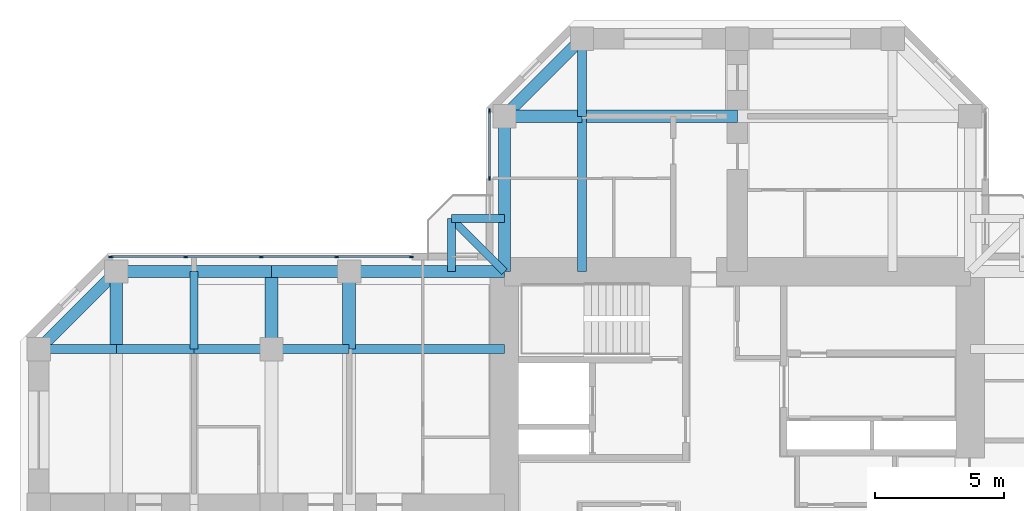
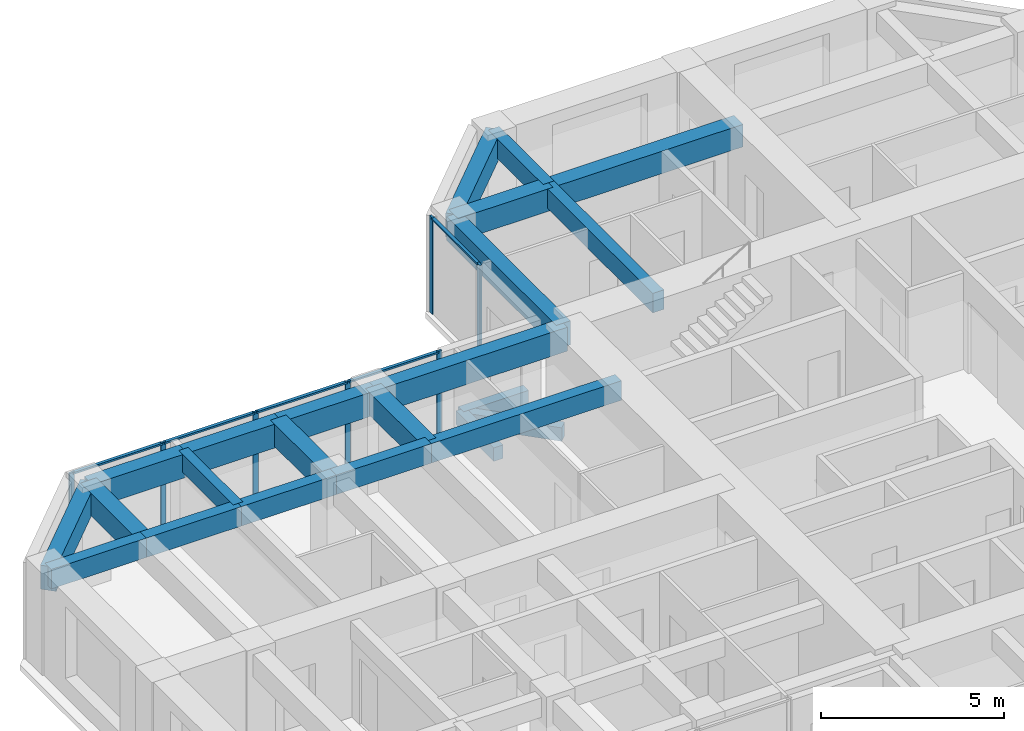
# One storey, part 5 of 14: 23 beams, 12 members, 2 elements without a shape of their own.
"""IFC4 building model written with IfcOpenShell, lengths in metres."""

from ifc_helpers import new_model, si_unit, direction, frame, origin, origin_2d, place, context, subcontext, project, spatial, rectangle, extrude, material, material_profile, profile_set, type_object, element, aggregate, save


model = new_model("IFC4")

# Units and contexts
model_context = context("Model", 3, precision=1e-05, world=origin(), true_north=direction((0.0, 1.0)))
body_context = subcontext(model_context, "Body", "Model", "MODEL_VIEW")
ifc_project = project(units=[si_unit("LENGTHUNIT", "METRE"), si_unit("AREAUNIT", "SQUARE_METRE"), si_unit("VOLUMEUNIT", "CUBIC_METRE"), si_unit("PLANEANGLEUNIT", "RADIAN"), si_unit("MASSUNIT", "GRAM", prefix="KILO")], contexts=[model_context])

# Site, building, storey
site_placement = place(None, origin())
site = spatial("IfcSite", under=ifc_project, at=site_placement, CompositionType="ELEMENT")
building_placement = place(site_placement, origin())
building = spatial("IfcBuilding", under=site, at=building_placement, Name="Torre Cruceta", CompositionType="ELEMENT")
storey_placement = place(building_placement, frame((0.0, 0.0, 183.10009765625)))
storey = spatial("IfcBuildingStorey", under=building, at=storey_placement, Name="L45", CompositionType="ELEMENT", Elevation=183.10009765625)

# Beams
ifc_material_1 = material(Name="Concrete G60 (fck 60 MPa)", Category="concrete")
ifc_material_profile_1 = material_profile(ifc_material_1, rectangle(XDim=0.300048828125, YDim=0.449951171875, at=origin_2d()), Name="RC 300X450")
ifc_profile_set_1 = profile_set([ifc_material_profile_1], Name="Concrete G60 (fck 60 MPa)")
beam_type_1 = type_object("IfcBeamType", Name="BALCONY CANTILEVER BEAM RC 300X450", PredefinedType="BEAM", material=ifc_profile_set_1)
beam_1_placement = place(storey_placement, frame((-9.0, 9.0, -0.405029296875), z_axis=(-0.707106781187, 0.707106781187, 0.0), x_axis=(-0.707106781187, -0.707106781187, 0.0)))
element("IfcBeam", 1, at=beam_1_placement, inside=storey, type_object=beam_type_1, Name="BB1 balcony beam L45 N", PredefinedType="BEAM", context=body_context, shape_type="SweptSolid", body=[
    extrude(rectangle(XDim=0.300048828125, YDim=0.449951171875, at=origin_2d()), origin(), (0.0, 0.0, 1.0), 2.89990234375),
])
for number, where, z_axis, x_axis, name in (
    (2, (-11.050537109375, 9.0, -0.405029296875), (0.0, 1.0, 0.0), (-1.0, 0.0, 0.0), "BB1 balcony edge beam L45 N-X"),
    (3, (-9.0, 11.050537109375, -0.405029296875), (-1.0, 0.0, 0.0), (0.0, -1.0, 0.0), "BB1 balcony edge beam L45 N-Y"),
):
    element("IfcBeam", number, at=place(storey_placement, frame(where, z_axis=z_axis, x_axis=x_axis)), inside=storey, type_object=beam_type_1, Name=name, PredefinedType="BEAM", context=body_context, shape_type="SweptSolid", body=[
        extrude(rectangle(XDim=0.300048828125, YDim=0.449951171875, at=origin_2d()), origin(), (0.0, 0.0, 1.0), 2.050537109375),
    ])
ifc_material_2 = material(Name="Concrete G60 (fck 60 MPa)", Category="concrete")
ifc_material_profile_2 = material_profile(ifc_material_2, rectangle(XDim=0.35009765625, YDim=0.64990234375, at=origin_2d()), Name="RC 350X650")
ifc_profile_set_2 = profile_set([ifc_material_profile_2], Name="Concrete G60 (fck 60 MPa)")
beam_type_2 = type_object("IfcBeamType", Name="COLUMN LINE BEAM RC 350X650", PredefinedType="BEAM", material=ifc_profile_set_2)
beam_2_placement = place(storey_placement, frame((-6.0, 9.0, 2.89501953125), z_axis=(0.0, 1.0, 0.0), x_axis=(-1.0, 0.0, 0.0)))
element("IfcBeam", 4, at=beam_2_placement, inside=storey, type_object=beam_type_2, Name="LB7 L45 N col+ 1", PredefinedType="BEAM", context=body_context, shape_type="SweptSolid", body=[
    extrude(rectangle(XDim=0.35009765625, YDim=0.64990234375, at=origin_2d()), origin(), (0.0, 0.0, 1.0), 6.0),
])
beam_3_placement = place(storey_placement, frame((-6.0, 15.0, 2.89501953125), z_axis=(0.0, 1.0, 0.0), x_axis=(-1.0, 0.0, 0.0)))
element("IfcBeam", 5, at=beam_3_placement, inside=storey, type_object=beam_type_2, Name="LB7 L45 N col+ 2", PredefinedType="BEAM", context=body_context, shape_type="SweptSolid", body=[
    extrude(rectangle(XDim=0.35009765625, YDim=0.64990234375, at=origin_2d()), origin(), (0.0, 0.0, 1.0), 3.0),
])
beam_4_placement = place(storey_placement, frame((-9.0, 6.0, 2.89501953125), z_axis=(-1.0, 0.0, 0.0), x_axis=(0.0, -1.0, 0.0)))
element("IfcBeam", 6, at=beam_4_placement, inside=storey, type_object=beam_type_2, Name="LB7 L45 W col- 1", PredefinedType="BEAM", context=body_context, shape_type="SweptSolid", body=[
    extrude(rectangle(XDim=0.35009765625, YDim=0.64990234375, at=origin_2d()), origin(), (0.0, 0.0, 1.0), 6.0),
])
for number, where, z_axis, x_axis, name in (
    (7, (-15.0, 6.0, 2.89501953125), (-1.0, 0.0, 0.0), (0.0, -1.0, 0.0), "LB7 L45 W col- 2"),
    (8, (-18.0, 6.0, 2.89501953125), (-1.0, 0.0, 0.0), (0.0, -1.0, 0.0), "LB7 L45 W col- 3"),
    (9, (-21.0, 6.0, 2.89501953125), (-1.0, 0.0, 0.0), (0.0, -1.0, 0.0), "LB7 L45 W col- 4"),
    (10, (-24.0, 6.0, 2.89501953125), (-1.0, 0.0, 0.0), (0.0, -1.0, 0.0), "LB7 L45 W col- 5"),
):
    element("IfcBeam", number, at=place(storey_placement, frame(where, z_axis=z_axis, x_axis=x_axis)), inside=storey, type_object=beam_type_2, Name=name, PredefinedType="BEAM", context=body_context, shape_type="SweptSolid", body=[
        extrude(rectangle(XDim=0.35009765625, YDim=0.64990234375, at=origin_2d()), origin(), (0.0, 0.0, 1.0), 3.0),
    ])
ifc_material_3 = material(Name="Concrete G60 (fck 60 MPa)", Category="concrete")
ifc_material_profile_3 = material_profile(ifc_material_3, rectangle(XDim=0.5, YDim=0.75, at=origin_2d()), Name="RC 500X750")
ifc_profile_set_3 = profile_set([ifc_material_profile_3], Name="Concrete G60 (fck 60 MPa)")
beam_type_3 = type_object("IfcBeamType", Name="CROSS BEAM RC 500X750", PredefinedType="BEAM", material=ifc_profile_set_3)
beam_5_placement = place(storey_placement, frame((0.0, 15.0, 2.844970703125), z_axis=(-1.0, 0.0, 0.0), x_axis=(0.0, -1.0, 0.0)))
element("IfcBeam", 11, at=beam_5_placement, inside=storey, type_object=beam_type_3, Name="GB6 L45 N cross15 3", PredefinedType="BEAM", context=body_context, shape_type="SweptSolid", body=[
    extrude(rectangle(XDim=0.5, YDim=0.75, at=origin_2d()), origin(), (0.0, 0.0, 1.0), 6.0),
])
for number, where, z_axis, x_axis, name in (
    (12, (-6.0, 15.0, 2.844970703125), (-1.0, 0.0, 0.0), (0.0, -1.0, 0.0), "GB6 L45 N cross15 4"),
    (13, (-15.0, 9.0, 2.844970703125), (0.0, -1.0, 0.0), (1.0, 0.0, 0.0), "GB6 L45 W cross15 1"),
    (14, (-18.0, 9.0, 2.844970703125), (0.0, -1.0, 0.0), (1.0, 0.0, 0.0), "GB6 L45 W cross18 1"),
    (15, (-24.0, 9.0, 2.844970703125), (0.0, -1.0, 0.0), (1.0, 0.0, 0.0), "GB6 L45 W cross24 1"),
):
    element("IfcBeam", number, at=place(storey_placement, frame(where, z_axis=z_axis, x_axis=x_axis)), inside=storey, type_object=beam_type_3, Name=name, PredefinedType="BEAM", context=body_context, shape_type="SweptSolid", body=[
        extrude(rectangle(XDim=0.5, YDim=0.75, at=origin_2d()), origin(), (0.0, 0.0, 1.0), 3.0),
    ])

# Curtain wall, members
ifc_material_4 = material(Name="Aluminium unitised curtain wall", Category="aluminium")
curtain_wall_type = type_object("IfcCurtainWallType", Name="CURTAIN WALL CW-C CO-LIVING", PredefinedType="USERDEFINED", material=ifc_material_4)
curtain_wall_1_placement = place(storey_placement, origin())
curtain_wall_1 = element("IfcCurtainWall", 16, at=curtain_wall_1_placement, inside=storey, type_object=curtain_wall_type, Name="CW-C L45 N side 09", ObjectType="UNITISED", PredefinedType="USERDEFINED")
ifc_material_5 = material(Name="Aluminium mullion", Category="aluminium")
ifc_material_profile_4 = material_profile(ifc_material_5, rectangle(XDim=0.06005859375, YDim=0.159912109375, at=origin_2d()), Name="AL 60X160")
ifc_profile_set_4 = profile_set([ifc_material_profile_4], Name="Aluminium mullion")
member_type_1 = type_object("IfcMemberType", Name="CW-C MULLION 60X160", PredefinedType="MULLION", material=ifc_profile_set_4)
member_1_placement = place(storey_placement, frame((-9.570068359375, 15.2060546875, 0.0), z_axis=(0.0, 0.0, 1.0), x_axis=(1.0, 0.0, 0.0)))
member_1 = element("IfcMember", 17, at=member_1_placement, type_object=member_type_1, Name="CW-C mullion 1", PredefinedType="MULLION", context=body_context, shape_type="SweptSolid", body=[
    extrude(rectangle(XDim=0.06005859375, YDim=0.159912109375, at=origin_2d()), origin(), (0.0, 0.0, 1.0), 3.219970703125),
])
member_2_placement = place(storey_placement, frame((-9.570068359375, 12.60009765625, 0.0), z_axis=(0.0, 0.0, 1.0), x_axis=(1.0, 0.0, 0.0)))
member_2 = element("IfcMember", 18, at=member_2_placement, type_object=member_type_1, Name="CW-C mullion 2", PredefinedType="MULLION", context=body_context, shape_type="SweptSolid", body=[
    extrude(rectangle(XDim=0.06005859375, YDim=0.159912109375, at=origin_2d()), origin(), (0.0, 0.0, 1.0), 3.219970703125),
])

curtain_wall_2_placement = place(storey_placement, origin())
curtain_wall_2 = element("IfcCurtainWall", 19, at=curtain_wall_2_placement, inside=storey, type_object=curtain_wall_type, Name="CW-C L45 W side 10", ObjectType="UNITISED", PredefinedType="USERDEFINED")
member_3_placement = place(storey_placement, frame((-12.60009765625, 9.570068359375, 0.0), z_axis=(0.0, 0.0, 1.0), x_axis=(0.0, -1.0, 0.0)))
member_3 = element("IfcMember", 20, at=member_3_placement, type_object=member_type_1, Name="CW-C mullion 1", PredefinedType="MULLION", context=body_context, shape_type="SweptSolid", body=[
    extrude(rectangle(XDim=0.06005859375, YDim=0.159912109375, at=origin_2d()), origin(), (0.0, 0.0, 1.0), 3.219970703125),
])
member_4_placement = place(storey_placement, frame((-15.486572265625, 9.570068359375, 0.0), z_axis=(0.0, 0.0, 1.0), x_axis=(0.0, -1.0, 0.0)))
member_4 = element("IfcMember", 21, at=member_4_placement, type_object=member_type_1, Name="CW-C mullion 2", PredefinedType="MULLION", context=body_context, shape_type="SweptSolid", body=[
    extrude(rectangle(XDim=0.06005859375, YDim=0.159912109375, at=origin_2d()), origin(), (0.0, 0.0, 1.0), 3.219970703125),
])
member_5_placement = place(storey_placement, frame((-18.403076171875, 9.570068359375, 0.0), z_axis=(0.0, 0.0, 1.0), x_axis=(0.0, -1.0, 0.0)))
member_5 = element("IfcMember", 22, at=member_5_placement, type_object=member_type_1, Name="CW-C mullion 3", PredefinedType="MULLION", context=body_context, shape_type="SweptSolid", body=[
    extrude(rectangle(XDim=0.06005859375, YDim=0.159912109375, at=origin_2d()), origin(), (0.0, 0.0, 1.0), 3.219970703125),
])
member_6_placement = place(storey_placement, frame((-21.319580078125, 9.570068359375, 0.0), z_axis=(0.0, 0.0, 1.0), x_axis=(0.0, -1.0, 0.0)))
member_6 = element("IfcMember", 23, at=member_6_placement, type_object=member_type_1, Name="CW-C mullion 4", PredefinedType="MULLION", context=body_context, shape_type="SweptSolid", body=[
    extrude(rectangle(XDim=0.06005859375, YDim=0.159912109375, at=origin_2d()), origin(), (0.0, 0.0, 1.0), 3.219970703125),
])
member_7_placement = place(storey_placement, frame((-24.2060546875, 9.570068359375, 0.0), z_axis=(0.0, 0.0, 1.0), x_axis=(0.0, -1.0, 0.0)))
member_7 = element("IfcMember", 24, at=member_7_placement, type_object=member_type_1, Name="CW-C mullion 5", PredefinedType="MULLION", context=body_context, shape_type="SweptSolid", body=[
    extrude(rectangle(XDim=0.06005859375, YDim=0.159912109375, at=origin_2d()), origin(), (0.0, 0.0, 1.0), 3.219970703125),
])

# Member
ifc_material_6 = material(Name="Aluminium transom", Category="aluminium")
ifc_material_profile_5 = material_profile(ifc_material_6, rectangle(XDim=0.10009765625, YDim=0.06005859375, at=origin_2d()), Name="AL 100X60")
ifc_profile_set_5 = profile_set([ifc_material_profile_5], Name="Aluminium transom")
member_type_2 = type_object("IfcMemberType", Name="CW-C TRANSOM 60X100", PredefinedType="USERDEFINED", material=ifc_profile_set_5)
member_8_placement = place(storey_placement, frame((-9.570068359375, 15.176025390625, 3.18994140625), z_axis=(0.0, -1.0, 0.0), x_axis=(1.0, 0.0, 0.0)))
member_8 = element("IfcMember", 25, at=member_8_placement, type_object=member_type_2, Name="CW-C transom 1", ObjectType="TRANSOM", PredefinedType="USERDEFINED", context=body_context, shape_type="SweptSolid", body=[
    extrude(rectangle(XDim=0.10009765625, YDim=0.06005859375, at=origin_2d()), origin(), (0.0, 0.0, 1.0), 2.546142578125),
])

aggregate(curtain_wall_1, [member_1, member_2, member_8])

member_9_placement = place(storey_placement, frame((-12.6298828125, 9.570068359375, 3.18994140625), z_axis=(-1.0, 0.0, 0.0), x_axis=(0.0, -1.0, 0.0)))
member_9 = element("IfcMember", 26, at=member_9_placement, type_object=member_type_2, Name="CW-C transom 1", ObjectType="TRANSOM", PredefinedType="USERDEFINED", context=body_context, shape_type="SweptSolid", body=[
    extrude(rectangle(XDim=0.10009765625, YDim=0.06005859375, at=origin_2d()), origin(), (0.0, 0.0, 1.0), 2.82666015625),
])

member_10_placement = place(storey_placement, frame((-15.5166015625, 9.570068359375, 3.18994140625), z_axis=(-1.0, 0.0, 0.0), x_axis=(0.0, -1.0, 0.0)))
member_10 = element("IfcMember", 27, at=member_10_placement, type_object=member_type_2, Name="CW-C transom 2", ObjectType="TRANSOM", PredefinedType="USERDEFINED", context=body_context, shape_type="SweptSolid", body=[
    extrude(rectangle(XDim=0.10009765625, YDim=0.06005859375, at=origin_2d()), origin(), (0.0, 0.0, 1.0), 2.8564453125),
])

member_11_placement = place(storey_placement, frame((-18.43310546875, 9.570068359375, 3.18994140625), z_axis=(-1.0, 0.0, 0.0), x_axis=(0.0, -1.0, 0.0)))
member_11 = element("IfcMember", 28, at=member_11_placement, type_object=member_type_2, Name="CW-C transom 3", ObjectType="TRANSOM", PredefinedType="USERDEFINED", context=body_context, shape_type="SweptSolid", body=[
    extrude(rectangle(XDim=0.10009765625, YDim=0.06005859375, at=origin_2d()), origin(), (0.0, 0.0, 1.0), 2.8564453125),
])

member_12_placement = place(storey_placement, frame((-21.349609375, 9.570068359375, 3.18994140625), z_axis=(-1.0, 0.0, 0.0), x_axis=(0.0, -1.0, 0.0)))
member_12 = element("IfcMember", 29, at=member_12_placement, type_object=member_type_2, Name="CW-C transom 4", ObjectType="TRANSOM", PredefinedType="USERDEFINED", context=body_context, shape_type="SweptSolid", body=[
    extrude(rectangle(XDim=0.10009765625, YDim=0.06005859375, at=origin_2d()), origin(), (0.0, 0.0, 1.0), 2.826416015625),
])

aggregate(curtain_wall_2, [member_3, member_4, member_5, member_6, member_7, member_9, member_10, member_11, member_12])

# Beams
ifc_material_7 = material(Name="Concrete G60 (fck 60 MPa)", Category="concrete")
ifc_material_profile_6 = material_profile(ifc_material_7, rectangle(XDim=0.300048828125, YDim=0.60009765625, at=origin_2d()), Name="RC 300X600")
ifc_profile_set_6 = profile_set([ifc_material_profile_6], Name="Concrete G60 (fck 60 MPa)")
beam_type_4 = type_object("IfcBeamType", Name="SECONDARY BEAM RC 300X600", PredefinedType="JOIST", material=ifc_profile_set_6)
beam_6_placement = place(storey_placement, frame((-21.0, 9.0, 2.919921875), z_axis=(0.0, -1.0, 0.0), x_axis=(1.0, 0.0, 0.0)))
element("IfcBeam", 30, at=beam_6_placement, inside=storey, type_object=beam_type_4, Name="JB6 L45 W sec21 1", PredefinedType="JOIST", context=body_context, shape_type="SweptSolid", body=[
    extrude(rectangle(XDim=0.300048828125, YDim=0.60009765625, at=origin_2d()), origin(), (0.0, 0.0, 1.0), 3.0),
])
ifc_material_8 = material(Name="Concrete G60 (fck 60 MPa)", Category="concrete")
ifc_material_profile_7 = material_profile(ifc_material_8, rectangle(XDim=0.449951171875, YDim=0.800048828125, at=origin_2d()), Name="RC 450X800")
ifc_profile_set_7 = profile_set([ifc_material_profile_7], Name="Concrete G60 (fck 60 MPa)")
beam_type_5 = type_object("IfcBeamType", Name="SPANDREL BEAM RC 450X800", PredefinedType="SPANDREL", material=ifc_profile_set_7)
beam_7_placement = place(storey_placement, frame((-9.0, 9.0, 2.81982421875), z_axis=(0.0, 1.0, 0.0), x_axis=(-1.0, 0.0, 0.0)))
element("IfcBeam", 31, at=beam_7_placement, inside=storey, type_object=beam_type_5, Name="SB6 L45 N side+ 1", PredefinedType="SPANDREL", context=body_context, shape_type="SweptSolid", body=[
    extrude(rectangle(XDim=0.449951171875, YDim=0.800048828125, at=origin_2d()), origin(), (0.0, 0.0, 1.0), 6.0),
])
beam_8_placement = place(storey_placement, frame((-9.0, 15.0, 2.81982421875), z_axis=(0.707106781187, 0.707106781187, 0.0), x_axis=(-0.707106781187, 0.707106781187, 0.0)))
element("IfcBeam", 32, at=beam_8_placement, inside=storey, type_object=beam_type_5, Name="SB6 L45 N side+ 2", PredefinedType="SPANDREL", context=body_context, shape_type="SweptSolid", body=[
    extrude(rectangle(XDim=0.449951171875, YDim=0.800048828125, at=origin_2d()), origin(), (0.0, 0.0, 1.0), 4.24267578125),
])
beam_9_placement = place(storey_placement, frame((-9.0, 9.0, 2.81982421875), z_axis=(-1.0, 0.0, 0.0), x_axis=(0.0, -1.0, 0.0)))
element("IfcBeam", 33, at=beam_9_placement, inside=storey, type_object=beam_type_5, Name="SB6 L45 W side- 1", PredefinedType="SPANDREL", context=body_context, shape_type="SweptSolid", body=[
    extrude(rectangle(XDim=0.449951171875, YDim=0.800048828125, at=origin_2d()), origin(), (0.0, 0.0, 1.0), 6.0),
])
for number, where, z_axis, x_axis, name in (
    (34, (-15.0, 9.0, 2.81982421875), (-1.0, 0.0, 0.0), (0.0, -1.0, 0.0), "SB6 L45 W side- 2"),
    (35, (-18.0, 9.0, 2.81982421875), (-1.0, 0.0, 0.0), (0.0, -1.0, 0.0), "SB6 L45 W side- 3"),
    (36, (-21.0, 9.0, 2.81982421875), (-1.0, 0.0, 0.0), (0.0, -1.0, 0.0), "SB6 L45 W side- 4"),
):
    element("IfcBeam", number, at=place(storey_placement, frame(where, z_axis=z_axis, x_axis=x_axis)), inside=storey, type_object=beam_type_5, Name=name, PredefinedType="SPANDREL", context=body_context, shape_type="SweptSolid", body=[
        extrude(rectangle(XDim=0.449951171875, YDim=0.800048828125, at=origin_2d()), origin(), (0.0, 0.0, 1.0), 3.0),
    ])
beam_10_placement = place(storey_placement, frame((-24.0, 9.0, 2.81982421875), z_axis=(-0.707106781187, -0.707106781187, 0.0), x_axis=(0.707106781187, -0.707106781187, 0.0)))
element("IfcBeam", 37, at=beam_10_placement, inside=storey, type_object=beam_type_5, Name="SB6 L45 W side- 5", PredefinedType="SPANDREL", context=body_context, shape_type="SweptSolid", body=[
    extrude(rectangle(XDim=0.449951171875, YDim=0.800048828125, at=origin_2d()), origin(), (0.0, 0.0, 1.0), 4.24267578125),
])

save(model, "model.ifc")
